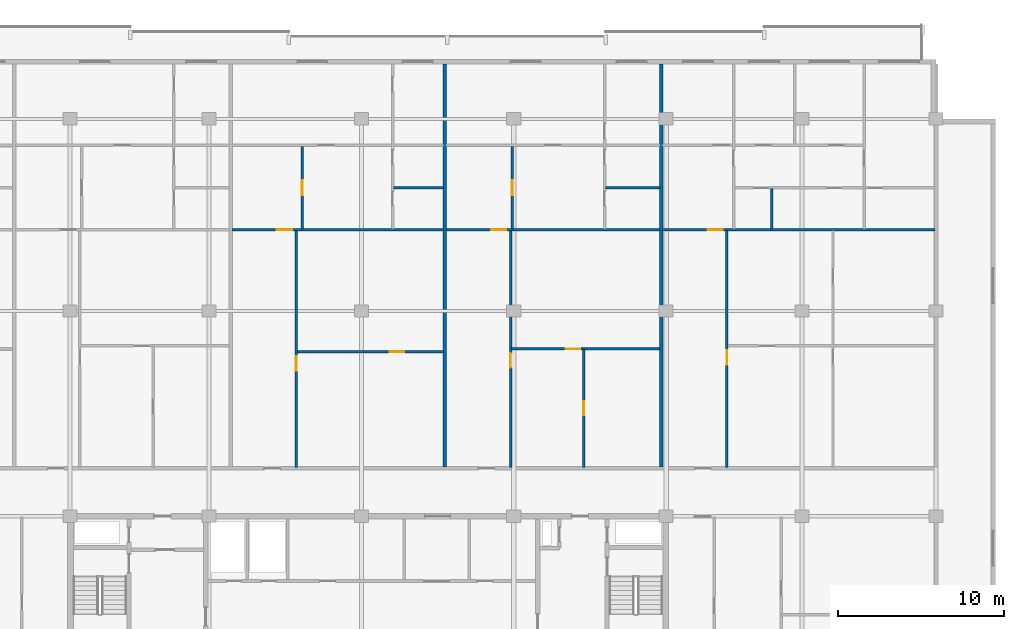
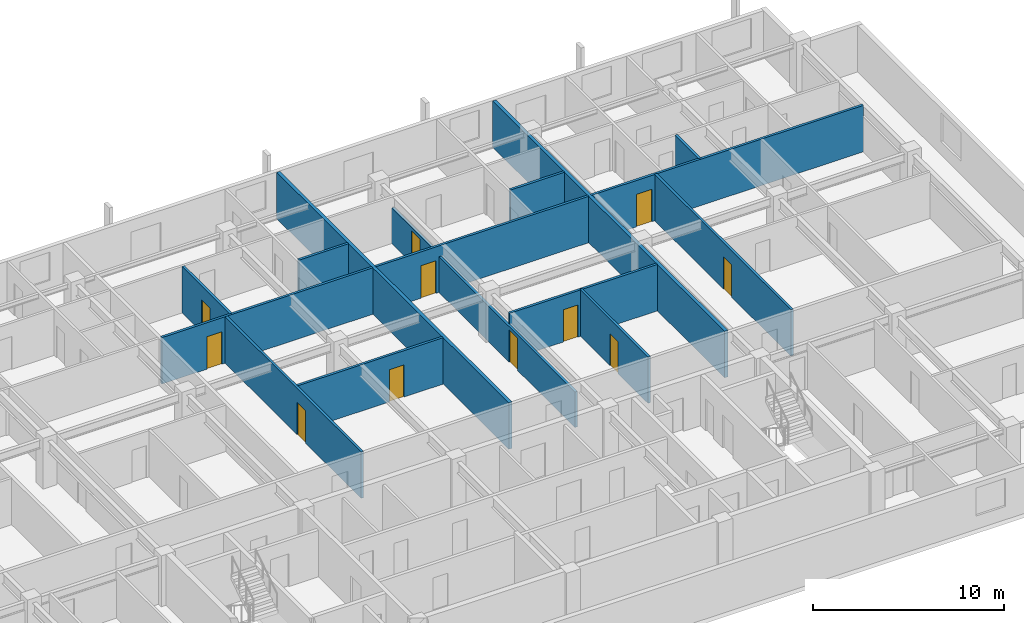
# One storey, part 37 of 42: 16 walls, 11 doors, 11 openings.
"""IFC4 building model written with IfcOpenShell, lengths in metres."""

from ifc_helpers import new_model, si_unit, direction, frame, frame_2d, origin, place, context, subcontext, project, spatial, rectangle, extrude, material, layer, layer_set, type_object, element, fill, save


model = new_model("IFC4")

# Units and contexts
model_context = context("Model", 3, precision=1e-05, world=origin(), true_north=direction((0.0, 1.0)))
body_context = subcontext(model_context, "Body", "Model", "MODEL_VIEW")
ifc_project = project(units=[si_unit("LENGTHUNIT", "METRE"), si_unit("AREAUNIT", "SQUARE_METRE"), si_unit("VOLUMEUNIT", "CUBIC_METRE"), si_unit("PLANEANGLEUNIT", "RADIAN"), si_unit("MASSUNIT", "GRAM", prefix="KILO")], contexts=[model_context])

# Site, building, storey
site_placement = place(None, origin())
site = spatial("IfcSite", under=ifc_project, at=site_placement, CompositionType="ELEMENT")
building_placement = place(site_placement, origin())
building = spatial("IfcBuilding", under=site, at=building_placement, Name="Korimba Cascade Residences", CompositionType="ELEMENT")
storey_placement = place(building_placement, frame((0.0, 0.0, 207.60009765625)))
storey = spatial("IfcBuildingStorey", under=building, at=storey_placement, Name="L60", CompositionType="ELEMENT", Elevation=207.60009765625)

# Walls
ifc_material_1 = material(Name="Precast concrete C40/50", Category="concrete")
ifc_layer_1 = layer(ifc_material_1, 0.199951171875)
ifc_layer_set_1 = layer_set([ifc_layer_1], Name="Precast concrete C40/50")
wall_type_1 = type_object("IfcWallType", Name="WAL-IT-200", PredefinedType="PARTITIONING", material=ifc_layer_set_1)
for number, where, z_axis, x_axis, name in (
    (1, (98.736083984375, 70.179931640625, 0.0), (0.0, 0.0, 1.0), (0.0, 1.0, 0.0), "L60 Partition Wall WAL-L60-T1-DEM-3"),
    (2, (111.800048828125, 70.179931640625, 0.0), (0.0, 0.0, 1.0), (0.0, 1.0, 0.0), "L60 Partition Wall WAL-L60-T1-DEM-4"),
):
    element("IfcWall", number, at=place(storey_placement, frame(where, z_axis=z_axis, x_axis=x_axis)), inside=storey, type_object=wall_type_1, Name=name, PredefinedType="PARTITIONING", context=body_context, shape_type="SweptSolid", body=[
        extrude(rectangle(XDim=24.320068359375, YDim=0.199951171875, at=frame_2d((12.16015625, 0.0))), origin(), (0.0, 0.0, 1.0), 2.969970703125),
    ])

# Wall, opening, door
ifc_material_2 = material(Name="Insulated Acoustic Stud Partition", Category="gypsum")
ifc_layer_2 = layer(ifc_material_2, 0.14990234375)
ifc_layer_set_2 = layer_set([ifc_layer_2], Name="Insulated Acoustic Stud Partition")
wall_type_2 = type_object("IfcWallType", Name="WAL-PART-150", PredefinedType="PARTITIONING", material=ifc_layer_set_2)
wall_1_placement = place(storey_placement, frame((89.830078125, 77.1298828125, 0.0), z_axis=(0.0, 0.0, 1.0), x_axis=(1.0, 0.0, 0.0)))
wall_1 = element("IfcWall", 3, at=wall_1_placement, inside=storey, type_object=wall_type_2, Name="L60 Partition Wall WAL-L60-T1-U03-FMH", PredefinedType="PARTITIONING", context=body_context, shape_type="SweptSolid", body=[
    extrude(rectangle(XDim=8.825927734375, YDim=0.14990234375, at=frame_2d((4.4130859375, 0.0))), origin(), (0.0, 0.0, 1.0), 2.969970703125),
])
opening_1_placement = place(wall_1_placement, frame((5.567138671875, 0.0, 0.0)))
opening_1 = element("IfcOpeningElement", 4, at=opening_1_placement, cuts=wall_1, Name="Opening D-IN2", PredefinedType="OPENING", context=body_context, shape_type="SweptSolid", body=[
    extrude(rectangle(XDim=0.8798828125, YDim=2.06005859375, at=frame_2d((0.43994140625, 1.030029296875))), frame((0.0, 0.0849609375, 0.0), z_axis=(0.0, -1.0, 0.0), x_axis=(1.0, 0.0, 0.0)), (0.0, 0.0, 1.0), 0.169921875),
])
ifc_material_3 = material(Name="Acoustic Timber Bedroom Door", Category="wood")
door_type_1 = type_object("IfcDoorType", Name="DR-INT-880", OperationType="NOTDEFINED", PredefinedType="DOOR", material=ifc_material_3)
door_1_placement = place(opening_1_placement, origin())
door_1 = element("IfcDoor", 5, at=door_1_placement, inside=storey, type_object=door_type_1, Name="L60-T1-U03 Library Salon Door", OperationType="SINGLE_SWING_RIGHT", OverallHeight=2.06005859375, OverallWidth=0.8798828125, PredefinedType="DOOR", context=body_context, shape_type="SweptSolid", body=[
    extrude(rectangle(XDim=0.8798828125, YDim=2.06005859375, at=frame_2d((0.43994140625, 1.030029296875))), frame((0.0, 0.02490234375, 0.0), z_axis=(0.0, -1.0, 0.0), x_axis=(1.0, 0.0, 0.0)), (0.0, 0.0, 1.0), 0.050048828125),
])
fill(opening_1, door_1)

wall_2_placement = place(storey_placement, frame((89.77001953125, 70.159912109375, 0.0), z_axis=(0.0, 0.0, 1.0), x_axis=(0.0, 1.0, 0.0)))
wall_2 = element("IfcWall", 6, at=wall_2_placement, inside=storey, type_object=wall_type_2, Name="L60 Partition Wall WAL-L60-T1-U03-FV", PredefinedType="PARTITIONING", context=body_context, shape_type="SweptSolid", body=[
    extrude(rectangle(XDim=14.300048828125, YDim=0.14990234375, at=frame_2d((7.14990234375, 0.0))), origin(), (0.0, 0.0, 1.0), 2.969970703125),
])
opening_2_placement = place(wall_2_placement, frame((5.840087890625, 0.0, 0.0)))
opening_2 = element("IfcOpeningElement", 7, at=opening_2_placement, cuts=wall_2, Name="Opening D-IN2", PredefinedType="OPENING", context=body_context, shape_type="SweptSolid", body=[
    extrude(rectangle(XDim=0.8798828125, YDim=2.06005859375, at=frame_2d((0.43994140625, 1.030029296875))), frame((0.0, 0.0849609375, 0.0), z_axis=(0.0, -1.0, 0.0), x_axis=(1.0, 0.0, 0.0)), (0.0, 0.0, 1.0), 0.169921875),
])
door_2_placement = place(opening_2_placement, origin())
door_2 = element("IfcDoor", 8, at=door_2_placement, inside=storey, type_object=door_type_1, Name="L60-T1-U03 Media Lounge Door", OperationType="SINGLE_SWING_LEFT", OverallHeight=2.06005859375, OverallWidth=0.8798828125, PredefinedType="DOOR", context=body_context, shape_type="SweptSolid", body=[
    extrude(rectangle(XDim=0.8798828125, YDim=2.06005859375, at=frame_2d((0.43994140625, 1.030029296875))), frame((0.0, 0.02490234375, 0.0), z_axis=(0.0, -1.0, 0.0), x_axis=(1.0, 0.0, 0.0)), (0.0, 0.0, 1.0), 0.050048828125),
])
fill(opening_2, door_2)

wall_3_placement = place(storey_placement, frame((90.1201171875, 84.5400390625, 0.0), z_axis=(0.0, 0.0, 1.0), x_axis=(0.0, 1.0, 0.0)))
wall_3 = element("IfcWall", 9, at=wall_3_placement, inside=storey, type_object=wall_type_2, Name="L60 Partition Wall WAL-L60-T1-U03-VDIN", PredefinedType="PARTITIONING", context=body_context, shape_type="SweptSolid", body=[
    extrude(rectangle(XDim=5.0, YDim=0.14990234375, at=frame_2d((2.5, 0.0))), origin(), (0.0, 0.0, 1.0), 2.969970703125),
])
opening_3_placement = place(wall_3_placement, frame((2.06005859375, 0.0, 0.0)))
opening_3 = element("IfcOpeningElement", 10, at=opening_3_placement, cuts=wall_3, Name="Opening D-IN2", PredefinedType="OPENING", context=body_context, shape_type="SweptSolid", body=[
    extrude(rectangle(XDim=0.8798828125, YDim=2.06005859375, at=frame_2d((0.43994140625, 1.030029296875))), frame((0.0, 0.0849609375, 0.0), z_axis=(0.0, -1.0, 0.0), x_axis=(1.0, 0.0, 0.0)), (0.0, 0.0, 1.0), 0.169921875),
])
door_3_placement = place(opening_3_placement, origin())
door_3 = element("IfcDoor", 11, at=door_3_placement, inside=storey, type_object=door_type_1, Name="L60-T1-U03 Dining Room Door", OperationType="SINGLE_SWING_RIGHT", OverallHeight=2.06005859375, OverallWidth=0.8798828125, PredefinedType="DOOR", context=body_context, shape_type="SweptSolid", body=[
    extrude(rectangle(XDim=0.8798828125, YDim=2.06005859375, at=frame_2d((0.43994140625, 1.030029296875))), frame((0.0, 0.02490234375, 0.0), z_axis=(0.0, -1.0, 0.0), x_axis=(1.0, 0.0, 0.0)), (0.0, 0.0, 1.0), 0.050048828125),
])
fill(opening_3, door_3)

# Wall
wall_4_placement = place(storey_placement, frame((95.639892578125, 87.0400390625, 0.0), z_axis=(0.0, 0.0, 1.0), x_axis=(1.0, 0.0, 0.0)))
element("IfcWall", 12, at=wall_4_placement, inside=storey, type_object=wall_type_2, Name="L60 Partition Wall WAL-L60-T1-U03-BLDIV", PredefinedType="PARTITIONING", context=body_context, shape_type="SweptSolid", body=[
    extrude(rectangle(XDim=3.01611328125, YDim=0.14990234375, at=frame_2d((1.508056640625, 0.0))), origin(), (0.0, 0.0, 1.0), 2.969970703125),
])

# Wall, opening, door
wall_5_placement = place(storey_placement, frame((85.8798828125, 84.5, 0.0), z_axis=(0.0, 0.0, 1.0), x_axis=(1.0, 0.0, 0.0)))
wall_5 = element("IfcWall", 13, at=wall_5_placement, inside=storey, type_object=wall_type_2, Name="L60 Partition Wall WAL-L60-T1-U03-MW", PredefinedType="PARTITIONING", context=body_context, shape_type="SweptSolid", body=[
    extrude(rectangle(XDim=12.776123046875, YDim=0.14990234375, at=frame_2d((6.38818359375, 0.0))), origin(), (0.0, 0.0, 1.0), 2.969970703125),
])
opening_4_placement = place(wall_5_placement, frame((2.719970703125, 0.0, 0.0)))
opening_4 = element("IfcOpeningElement", 14, at=opening_4_placement, cuts=wall_5, Name="Opening D-IN1", PredefinedType="OPENING", context=body_context, shape_type="SweptSolid", body=[
    extrude(rectangle(XDim=0.919921875, YDim=2.080078125, at=frame_2d((0.4599609375, 1.0400390625))), frame((0.0, 0.0849609375, 0.0), z_axis=(0.0, -1.0, 0.0), x_axis=(1.0, 0.0, 0.0)), (0.0, 0.0, 1.0), 0.169921875),
])
ifc_material_4 = material(Name="Acoustic Timber Living Door", Category="wood")
door_type_2 = type_object("IfcDoorType", Name="DR-INT-920", OperationType="NOTDEFINED", PredefinedType="DOOR", material=ifc_material_4)
door_4_placement = place(opening_4_placement, origin())
door_4 = element("IfcDoor", 15, at=door_4_placement, inside=storey, type_object=door_type_2, Name="L60-T1-U03 Kitchen Archway Door", OperationType="SINGLE_SWING_RIGHT", OverallHeight=2.080078125, OverallWidth=0.919921875, PredefinedType="DOOR", context=body_context, shape_type="SweptSolid", body=[
    extrude(rectangle(XDim=0.919921875, YDim=2.080078125, at=frame_2d((0.4599609375, 1.0400390625))), frame((0.0, 0.02490234375, 0.0), z_axis=(0.0, -1.0, 0.0), x_axis=(1.0, 0.0, 0.0)), (0.0, 0.0, 1.0), 0.050048828125),
])
fill(opening_4, door_4)

wall_6_placement = place(storey_placement, frame((107.123046875, 70.159912109375, 0.0), z_axis=(0.0, 0.0, 1.0), x_axis=(0.0, 1.0, 0.0)))
wall_6 = element("IfcWall", 16, at=wall_6_placement, inside=storey, type_object=wall_type_2, Name="L60 Partition Wall WAL-L60-T1-U04-FMV", PredefinedType="PARTITIONING", context=body_context, shape_type="SweptSolid", body=[
    extrude(rectangle(XDim=7.150146484375, YDim=0.14990234375, at=frame_2d((3.5751953125, 0.0))), origin(), (0.0, 0.0, 1.0), 2.969970703125),
])
opening_5_placement = place(wall_6_placement, frame((3.155029296875, 0.0, 0.0)))
opening_5 = element("IfcOpeningElement", 17, at=opening_5_placement, cuts=wall_6, Name="Opening D-BT1", PredefinedType="OPENING", context=body_context, shape_type="SweptSolid", body=[
    extrude(rectangle(XDim=0.840087890625, YDim=2.0400390625, at=frame_2d((0.419921875, 1.02001953125))), frame((0.0, 0.0849609375, 0.0), z_axis=(0.0, -1.0, 0.0), x_axis=(1.0, 0.0, 0.0)), (0.0, 0.0, 1.0), 0.169921875),
])
ifc_material_5 = material(Name="Moisture-Resistant Bathroom Timber Door", Category="wood")
door_type_3 = type_object("IfcDoorType", Name="DR-INT-850", OperationType="NOTDEFINED", PredefinedType="DOOR", material=ifc_material_5)
door_5_placement = place(opening_5_placement, origin())
door_5 = element("IfcDoor", 18, at=door_5_placement, inside=storey, type_object=door_type_3, Name="L60-T1-U04 Wardrobe Door", OperationType="SINGLE_SWING_RIGHT", OverallHeight=2.0400390625, OverallWidth=0.840087890625, PredefinedType="DOOR", context=body_context, shape_type="SweptSolid", body=[
    extrude(rectangle(XDim=0.840087890625, YDim=2.0400390625, at=frame_2d((0.419921875, 1.02001953125))), frame((0.0, 0.02490234375, 0.0), z_axis=(0.0, -1.0, 0.0), x_axis=(1.0, 0.0, 0.0)), (0.0, 0.0, 1.0), 0.050048828125),
])
fill(opening_5, door_5)

wall_7_placement = place(storey_placement, frame((102.76611328125, 77.31005859375, 0.0), z_axis=(0.0, 0.0, 1.0), x_axis=(1.0, 0.0, 0.0)))
wall_7 = element("IfcWall", 19, at=wall_7_placement, inside=storey, type_object=wall_type_2, Name="L60 Partition Wall WAL-L60-T1-U04-FMH", PredefinedType="PARTITIONING", context=body_context, shape_type="SweptSolid", body=[
    extrude(rectangle(XDim=8.953857421875, YDim=0.14990234375, at=frame_2d((4.47705078125, 0.0))), origin(), (0.0, 0.0, 1.0), 2.969970703125),
])
opening_6_placement = place(wall_7_placement, frame((3.257080078125, 0.0, 0.0)))
opening_6 = element("IfcOpeningElement", 20, at=opening_6_placement, cuts=wall_7, Name="Opening D-IN2", PredefinedType="OPENING", context=body_context, shape_type="SweptSolid", body=[
    extrude(rectangle(XDim=0.8798828125, YDim=2.06005859375, at=frame_2d((0.43994140625, 1.030029296875))), frame((0.0, 0.0849609375, 0.0), z_axis=(0.0, -1.0, 0.0), x_axis=(1.0, 0.0, 0.0)), (0.0, 0.0, 1.0), 0.169921875),
])
door_6_placement = place(opening_6_placement, origin())
door_6 = element("IfcDoor", 21, at=door_6_placement, inside=storey, type_object=door_type_1, Name="L60-T1-U04 Library Salon Door", OperationType="SINGLE_SWING_LEFT", OverallHeight=2.06005859375, OverallWidth=0.8798828125, PredefinedType="DOOR", context=body_context, shape_type="SweptSolid", body=[
    extrude(rectangle(XDim=0.8798828125, YDim=2.06005859375, at=frame_2d((0.43994140625, 1.030029296875))), frame((0.0, 0.02490234375, 0.0), z_axis=(0.0, -1.0, 0.0), x_axis=(1.0, 0.0, 0.0)), (0.0, 0.0, 1.0), 0.050048828125),
])
fill(opening_6, door_6)

wall_8_placement = place(storey_placement, frame((102.7060546875, 70.159912109375, 0.0), z_axis=(0.0, 0.0, 1.0), x_axis=(0.0, 1.0, 0.0)))
wall_8 = element("IfcWall", 22, at=wall_8_placement, inside=storey, type_object=wall_type_2, Name="L60 Partition Wall WAL-L60-T1-U04-FV", PredefinedType="PARTITIONING", context=body_context, shape_type="SweptSolid", body=[
    extrude(rectangle(XDim=14.300048828125, YDim=0.14990234375, at=frame_2d((7.14990234375, 0.0))), origin(), (0.0, 0.0, 1.0), 2.277099609375),
])
opening_7_placement = place(wall_8_placement, frame((6.02001953125, 0.0, 0.0)))
opening_7 = element("IfcOpeningElement", 23, at=opening_7_placement, cuts=wall_8, Name="Opening D-IN2", PredefinedType="OPENING", context=body_context, shape_type="SweptSolid", body=[
    extrude(rectangle(XDim=0.8798828125, YDim=2.06005859375, at=frame_2d((0.43994140625, 1.030029296875))), frame((0.0, 0.0849609375, 0.0), z_axis=(0.0, -1.0, 0.0), x_axis=(1.0, 0.0, 0.0)), (0.0, 0.0, 1.0), 0.169921875),
])
door_7_placement = place(opening_7_placement, origin())
door_7 = element("IfcDoor", 24, at=door_7_placement, inside=storey, type_object=door_type_1, Name="L60-T1-U04 Media Lounge Door", OperationType="SINGLE_SWING_RIGHT", OverallHeight=2.06005859375, OverallWidth=0.8798828125, PredefinedType="DOOR", context=body_context, shape_type="SweptSolid", body=[
    extrude(rectangle(XDim=0.8798828125, YDim=2.06005859375, at=frame_2d((0.43994140625, 1.030029296875))), frame((0.0, 0.02490234375, 0.0), z_axis=(0.0, -1.0, 0.0), x_axis=(1.0, 0.0, 0.0)), (0.0, 0.0, 1.0), 0.050048828125),
])
fill(opening_7, door_7)

wall_9_placement = place(storey_placement, frame((102.80615234375, 84.5400390625, 0.0), z_axis=(0.0, 0.0, 1.0), x_axis=(0.0, 1.0, 0.0)))
wall_9 = element("IfcWall", 25, at=wall_9_placement, inside=storey, type_object=wall_type_2, Name="L60 Partition Wall WAL-L60-T1-U04-VDIN", PredefinedType="PARTITIONING", context=body_context, shape_type="SweptSolid", body=[
    extrude(rectangle(XDim=5.0, YDim=0.14990234375, at=frame_2d((2.5, 0.0))), origin(), (0.0, 0.0, 1.0), 2.277099609375),
])
opening_8_placement = place(wall_9_placement, frame((2.06005859375, 0.0, 0.0)))
opening_8 = element("IfcOpeningElement", 26, at=opening_8_placement, cuts=wall_9, Name="Opening D-IN2", PredefinedType="OPENING", context=body_context, shape_type="SweptSolid", body=[
    extrude(rectangle(XDim=0.8798828125, YDim=2.06005859375, at=frame_2d((0.43994140625, 1.030029296875))), frame((0.0, 0.0849609375, 0.0), z_axis=(0.0, -1.0, 0.0), x_axis=(1.0, 0.0, 0.0)), (0.0, 0.0, 1.0), 0.169921875),
])
door_8_placement = place(opening_8_placement, origin())
door_8 = element("IfcDoor", 27, at=door_8_placement, inside=storey, type_object=door_type_1, Name="L60-T1-U04 Dining Room Door", OperationType="SINGLE_SWING_LEFT", OverallHeight=2.06005859375, OverallWidth=0.8798828125, PredefinedType="DOOR", context=body_context, shape_type="SweptSolid", body=[
    extrude(rectangle(XDim=0.8798828125, YDim=2.06005859375, at=frame_2d((0.43994140625, 1.030029296875))), frame((0.0, 0.02490234375, 0.0), z_axis=(0.0, -1.0, 0.0), x_axis=(1.0, 0.0, 0.0)), (0.0, 0.0, 1.0), 0.050048828125),
])
fill(opening_8, door_8)

# Wall
wall_10_placement = place(storey_placement, frame((108.43994140625, 87.0400390625, 0.0), z_axis=(0.0, 0.0, 1.0), x_axis=(1.0, 0.0, 0.0)))
element("IfcWall", 28, at=wall_10_placement, inside=storey, type_object=wall_type_2, Name="L60 Partition Wall WAL-L60-T1-U04-BLDIV", PredefinedType="PARTITIONING", context=body_context, shape_type="SweptSolid", body=[
    extrude(rectangle(XDim=3.280029296875, YDim=0.14990234375, at=frame_2d((1.64013671875, 0.0))), origin(), (0.0, 0.0, 1.0), 2.969970703125),
])

# Wall, opening, door
wall_11_placement = place(storey_placement, frame((98.816162109375, 84.5, 0.0), z_axis=(0.0, 0.0, 1.0), x_axis=(1.0, 0.0, 0.0)))
wall_11 = element("IfcWall", 29, at=wall_11_placement, inside=storey, type_object=wall_type_2, Name="L60 Partition Wall WAL-L60-T1-U04-MW", PredefinedType="PARTITIONING", context=body_context, shape_type="SweptSolid", body=[
    extrude(rectangle(XDim=12.90380859375, YDim=0.14990234375, at=frame_2d((6.451904296875, 0.0))), origin(), (0.0, 0.0, 1.0), 2.969970703125),
])
opening_9_placement = place(wall_11_placement, frame((2.719970703125, 0.0, 0.0)))
opening_9 = element("IfcOpeningElement", 30, at=opening_9_placement, cuts=wall_11, Name="Opening D-IN1", PredefinedType="OPENING", context=body_context, shape_type="SweptSolid", body=[
    extrude(rectangle(XDim=0.919921875, YDim=2.080078125, at=frame_2d((0.4599609375, 1.0400390625))), frame((0.0, 0.0849609375, 0.0), z_axis=(0.0, -1.0, 0.0), x_axis=(1.0, 0.0, 0.0)), (0.0, 0.0, 1.0), 0.169921875),
])
door_9_placement = place(opening_9_placement, origin())
door_9 = element("IfcDoor", 31, at=door_9_placement, inside=storey, type_object=door_type_2, Name="L60-T1-U04 Kitchen Archway Door", OperationType="SINGLE_SWING_LEFT", OverallHeight=2.080078125, OverallWidth=0.919921875, PredefinedType="DOOR", context=body_context, shape_type="SweptSolid", body=[
    extrude(rectangle(XDim=0.919921875, YDim=2.080078125, at=frame_2d((0.4599609375, 1.0400390625))), frame((0.0, 0.02490234375, 0.0), z_axis=(0.0, -1.0, 0.0), x_axis=(1.0, 0.0, 0.0)), (0.0, 0.0, 1.0), 0.050048828125),
])
fill(opening_9, door_9)

wall_12_placement = place(storey_placement, frame((115.77001953125, 70.159912109375, 0.0), z_axis=(0.0, 0.0, 1.0), x_axis=(0.0, 1.0, 0.0)))
wall_12 = element("IfcWall", 32, at=wall_12_placement, inside=storey, type_object=wall_type_2, Name="L60 Partition Wall WAL-L60-T1-U05-FV", PredefinedType="PARTITIONING", context=body_context, shape_type="SweptSolid", body=[
    extrude(rectangle(XDim=14.300048828125, YDim=0.14990234375, at=frame_2d((7.14990234375, 0.0))), origin(), (0.0, 0.0, 1.0), 2.969970703125),
])
opening_10_placement = place(wall_12_placement, frame((6.199951171875, 0.0, 0.0)))
opening_10 = element("IfcOpeningElement", 33, at=opening_10_placement, cuts=wall_12, Name="Opening D-IN2", PredefinedType="OPENING", context=body_context, shape_type="SweptSolid", body=[
    extrude(rectangle(XDim=0.8798828125, YDim=2.06005859375, at=frame_2d((0.43994140625, 1.030029296875))), frame((0.0, 0.0849609375, 0.0), z_axis=(0.0, -1.0, 0.0), x_axis=(1.0, 0.0, 0.0)), (0.0, 0.0, 1.0), 0.169921875),
])
door_10_placement = place(opening_10_placement, origin())
door_10 = element("IfcDoor", 34, at=door_10_placement, inside=storey, type_object=door_type_1, Name="L60-T1-U05 Media Lounge Door", OperationType="SINGLE_SWING_RIGHT", OverallHeight=2.06005859375, OverallWidth=0.8798828125, PredefinedType="DOOR", context=body_context, shape_type="SweptSolid", body=[
    extrude(rectangle(XDim=0.8798828125, YDim=2.06005859375, at=frame_2d((0.43994140625, 1.030029296875))), frame((0.0, 0.02490234375, 0.0), z_axis=(0.0, -1.0, 0.0), x_axis=(1.0, 0.0, 0.0)), (0.0, 0.0, 1.0), 0.050048828125),
])
fill(opening_10, door_10)

# Wall
wall_13_placement = place(storey_placement, frame((118.47998046875, 84.5400390625, 0.0), z_axis=(0.0, 0.0, 1.0), x_axis=(0.0, 1.0, 0.0)))
element("IfcWall", 35, at=wall_13_placement, inside=storey, type_object=wall_type_2, Name="L60 Partition Wall WAL-L60-T1-U05-VDRS", PredefinedType="PARTITIONING", context=body_context, shape_type="SweptSolid", body=[
    extrude(rectangle(XDim=2.469970703125, YDim=0.14990234375, at=frame_2d((1.23486328125, 0.0))), origin(), (0.0, 0.0, 1.0), 2.969970703125),
])

# Wall, opening, door
wall_14_placement = place(storey_placement, frame((111.8798828125, 84.5, 0.0), z_axis=(0.0, 0.0, 1.0), x_axis=(1.0, 0.0, 0.0)))
wall_14 = element("IfcWall", 36, at=wall_14_placement, inside=storey, type_object=wall_type_2, Name="L60 Partition Wall WAL-L60-T1-U05-MW", PredefinedType="PARTITIONING", context=body_context, shape_type="SweptSolid", body=[
    extrude(rectangle(XDim=16.440185546875, YDim=0.14990234375, at=frame_2d((8.22021484375, 0.0))), origin(), (0.0, 0.0, 1.0), 2.969970703125),
])
opening_11_placement = place(wall_14_placement, frame((2.719970703125, 0.0, 0.0)))
opening_11 = element("IfcOpeningElement", 37, at=opening_11_placement, cuts=wall_14, Name="Opening D-IN1", PredefinedType="OPENING", context=body_context, shape_type="SweptSolid", body=[
    extrude(rectangle(XDim=0.919921875, YDim=2.080078125, at=frame_2d((0.4599609375, 1.0400390625))), frame((0.0, 0.0849609375, 0.0), z_axis=(0.0, -1.0, 0.0), x_axis=(1.0, 0.0, 0.0)), (0.0, 0.0, 1.0), 0.169921875),
])
door_11_placement = place(opening_11_placement, origin())
door_11 = element("IfcDoor", 38, at=door_11_placement, inside=storey, type_object=door_type_2, Name="L60-T1-U05 Kitchen Door", OperationType="SINGLE_SWING_RIGHT", OverallHeight=2.080078125, OverallWidth=0.919921875, PredefinedType="DOOR", context=body_context, shape_type="SweptSolid", body=[
    extrude(rectangle(XDim=0.919921875, YDim=2.080078125, at=frame_2d((0.4599609375, 1.0400390625))), frame((0.0, 0.02490234375, 0.0), z_axis=(0.0, -1.0, 0.0), x_axis=(1.0, 0.0, 0.0)), (0.0, 0.0, 1.0), 0.050048828125),
])
fill(opening_11, door_11)

save(model, "model.ifc")
